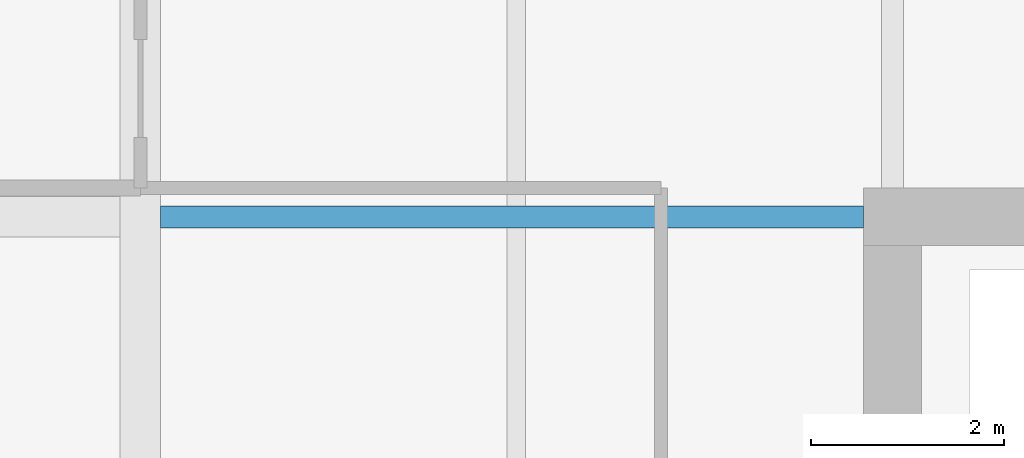
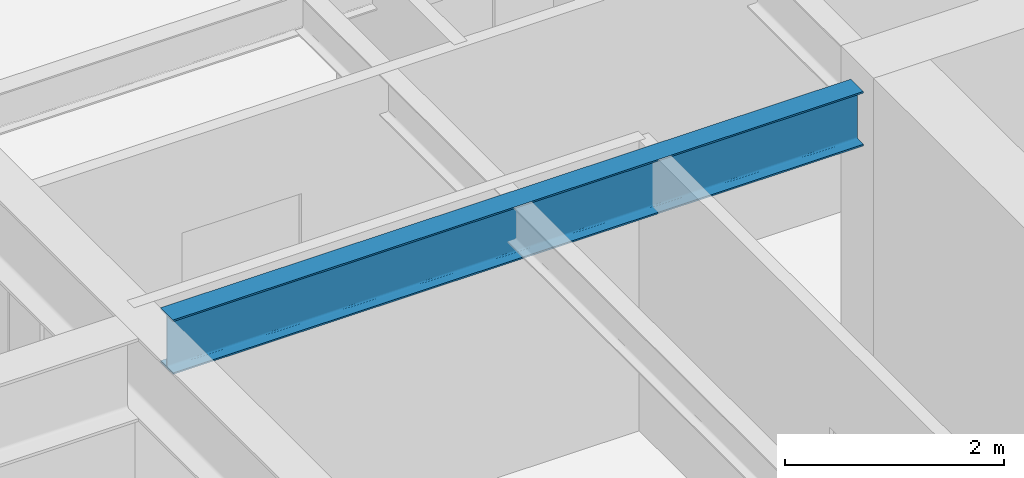
# One storey, part 18 of 38: 1 beam.
"""IFC4 building model written with IfcOpenShell, lengths in metres."""

from ifc_helpers import new_model, si_unit, direction, frame, origin, origin_2d, place, context, subcontext, project, spatial, i_section, extrude, material, material_profile, profile_set, type_object, element, save


model = new_model("IFC4")

# Units and contexts
model_context = context("Model", 3, precision=1e-05, world=origin(), true_north=direction((0.0, 1.0)))
body_context = subcontext(model_context, "Body", "Model", "MODEL_VIEW")
ifc_project = project(units=[si_unit("LENGTHUNIT", "METRE"), si_unit("AREAUNIT", "SQUARE_METRE"), si_unit("VOLUMEUNIT", "CUBIC_METRE"), si_unit("PLANEANGLEUNIT", "RADIAN"), si_unit("MASSUNIT", "GRAM", prefix="KILO")], contexts=[model_context])

# Site, building, storey
site_placement = place(None, origin())
site = spatial("IfcSite", under=ifc_project, at=site_placement, CompositionType="ELEMENT")
building_placement = place(site_placement, origin())
building = spatial("IfcBuilding", under=site, at=building_placement, Name="Drelvath Grand Hotel", CompositionType="ELEMENT")
storey_placement = place(building_placement, frame((0.0, 0.0, 47.199951171875)))
storey = spatial("IfcBuildingStorey", under=building, at=storey_placement, Name="L10", CompositionType="ELEMENT", Elevation=47.199951171875)

# Beam
ifc_material = material(Name="Steel ASTM A992 Gr 50", Category="steel")
ifc_material_profile = material_profile(ifc_material, i_section(OverallWidth=0.228271484375, OverallDepth=0.607666015625, WebThickness=0.01123046875, FlangeThickness=0.017333984375, FilletRadius=0.02001953125, at=origin_2d()), Name="W24X76")
ifc_profile_set = profile_set([ifc_material_profile], Name="Steel ASTM A992 Gr 50")
beam_type = type_object("IfcBeamType", Name="Primary Floor Girder W24X76", PredefinedType="BEAM", material=ifc_profile_set)
beam_placement = place(storey_placement, frame((-15.99072265625, 35.39990234375, 2.936279296875), z_axis=(1.0, 0.0, 0.0), x_axis=(0.0, 1.0, 0.0)))
element("IfcBeam", 1, at=beam_placement, inside=storey, type_object=beam_type, Name="L10 West Core Tie F", PredefinedType="BEAM", context=body_context, shape_type="SweptSolid", body=[
    extrude(i_section(OverallWidth=0.228271484375, OverallDepth=0.607666015625, WebThickness=0.01123046875, FlangeThickness=0.017333984375, FilletRadius=0.02001953125, at=origin_2d()), origin(), (0.0, 0.0, 1.0), 7.290771484375),
])

save(model, "model.ifc")
